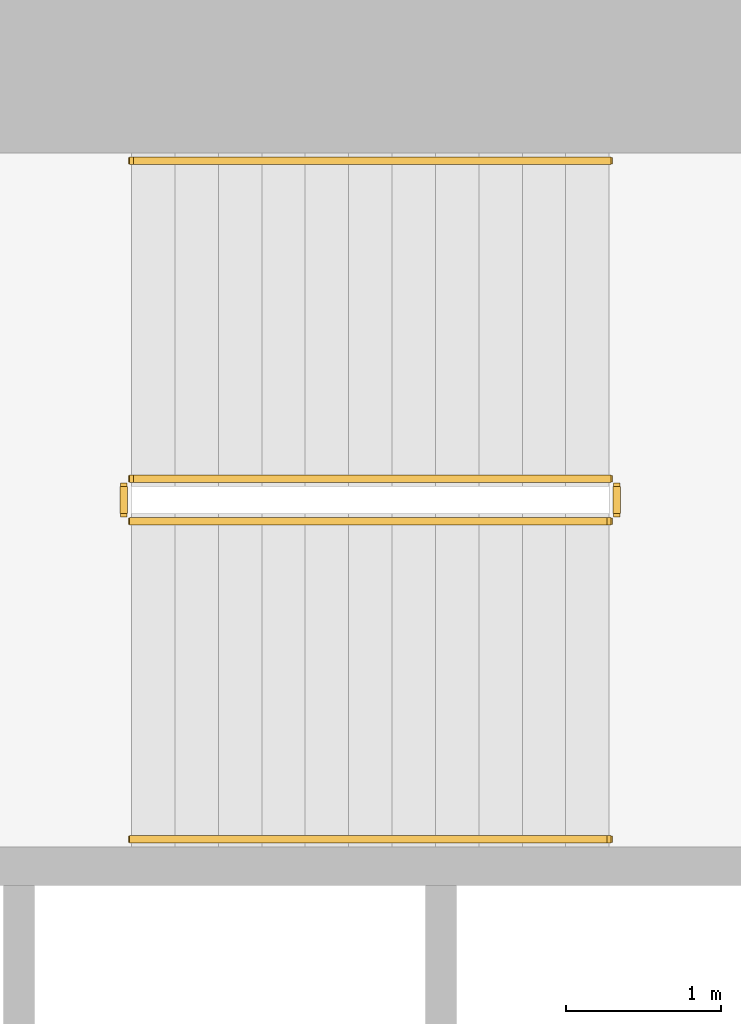
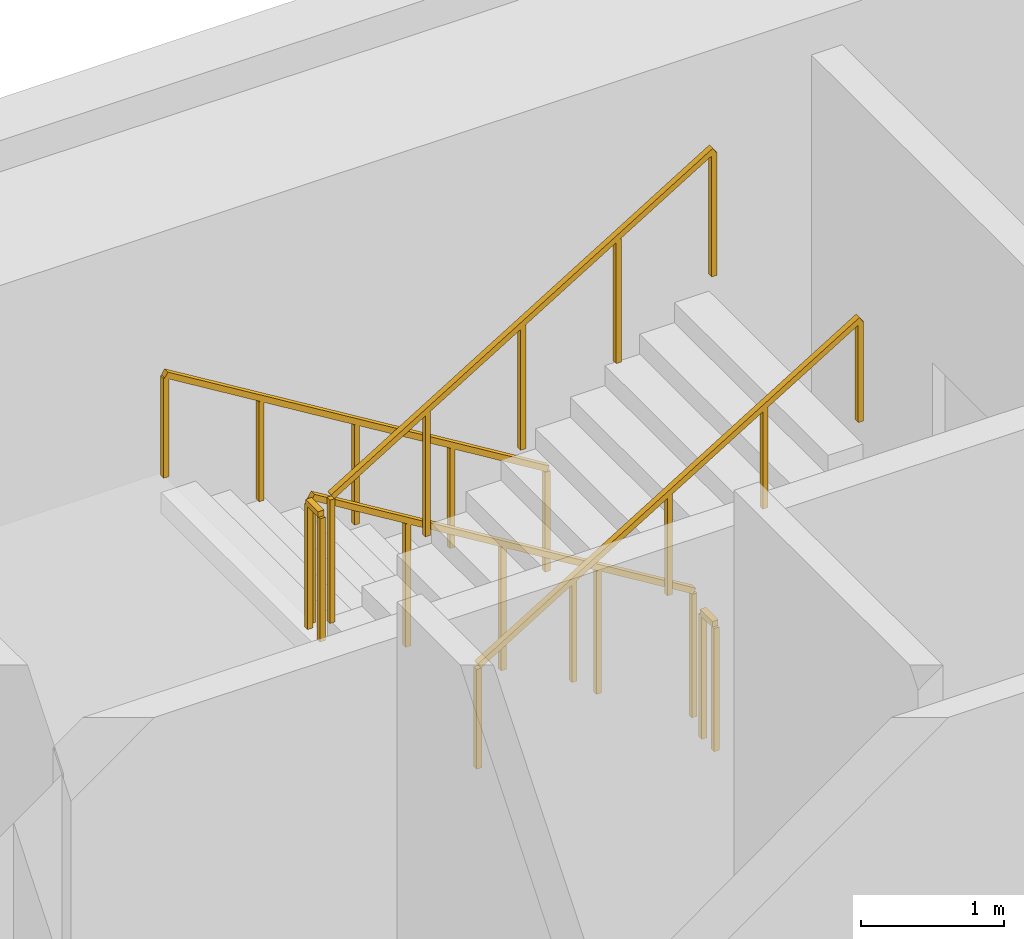
# One storey, part 14 of 16: 6 railings.
"""IFC4 building model written with IfcOpenShell, lengths in metres."""

from ifc_helpers import new_model, si_unit, direction, frame, origin, origin_2d, place, context, subcontext, project, spatial, rectangle, extrude, material, type_object, element, save


model = new_model("IFC4")

# Units and contexts
model_context = context("Model", 3, precision=1e-05, world=origin(), true_north=direction((0.0, 1.0)))
body_context = subcontext(model_context, "Body", "Model", "MODEL_VIEW")
ifc_project = project(units=[si_unit("LENGTHUNIT", "METRE"), si_unit("AREAUNIT", "SQUARE_METRE"), si_unit("VOLUMEUNIT", "CUBIC_METRE"), si_unit("PLANEANGLEUNIT", "RADIAN"), si_unit("MASSUNIT", "GRAM", prefix="KILO")], contexts=[model_context])

# Site, building, storey
site_placement = place(None, origin())
site = spatial("IfcSite", under=ifc_project, at=site_placement, CompositionType="ELEMENT")
building_placement = place(site_placement, origin())
building = spatial("IfcBuilding", under=site, at=building_placement, Name="Cypress Arch Tower", CompositionType="ELEMENT")
storey_placement = place(building_placement, frame((0.0, 0.0, 168.699951171875)))
storey = spatial("IfcBuildingStorey", under=building, at=storey_placement, Name="L36", CompositionType="ELEMENT", Elevation=168.699951171875)

# Railings
ifc_material_1 = material(Name="Black powder-coated steel square bar 48 mm", Category="steel")
railing_type_1 = type_object("IfcRailingType", Name="Stair handrail HR1", PredefinedType="HANDRAIL", material=ifc_material_1)
railing_1_placement = place(storey_placement, frame((-22.27490234375, 14.75, 0.1708984375)))
element("IfcRailing", 1, at=railing_1_placement, inside=storey, type_object=railing_type_1, Name="L36 B stair handrail 1", PredefinedType="HANDRAIL", context=body_context, shape_type="SweptSolid", body=[
    extrude(rectangle(XDim=0.048095703125, YDim=0.048095703125, at=origin_2d()), frame((0.0, 0.0, 0.8759765625), z_axis=(-0.853666305674, 0.0, 0.52082035152), x_axis=(0.0, -1.0, 0.0)), (0.0, 0.0, 1.0), 3.608154296875),
    extrude(rectangle(XDim=0.0419921875, YDim=0.0419921875, at=origin_2d()), origin(), (0.0, 0.0, 1.0), 0.851806640625),
    extrude(rectangle(XDim=0.0419921875, YDim=0.0419921875, at=origin_2d()), frame((-0.77001953125, 0.0, 0.4697265625)), (0.0, 0.0, 1.0), 0.851806640625),
    extrude(rectangle(XDim=0.0419921875, YDim=0.0419921875, at=origin_2d()), frame((-1.5400390625, 0.0, 0.939453125)), (0.0, 0.0, 1.0), 0.851806640625),
    extrude(rectangle(XDim=0.0419921875, YDim=0.0419921875, at=origin_2d()), frame((-2.31005859375, 0.0, 1.409423828125)), (0.0, 0.0, 1.0), 0.851806640625),
    extrude(rectangle(XDim=0.0419921875, YDim=0.0419921875, at=origin_2d()), frame((-3.080078125, 0.0, 1.879150390625)), (0.0, 0.0, 1.0), 0.851806640625),
])
railing_2_placement = place(storey_placement, frame((-25.35498046875, 10.375, 2.220947265625)))
element("IfcRailing", 2, at=railing_2_placement, inside=storey, type_object=railing_type_1, Name="L36 B stair handrail 2", PredefinedType="HANDRAIL", context=body_context, shape_type="SweptSolid", body=[
    extrude(rectangle(XDim=0.048095703125, YDim=0.048095703125, at=origin_2d()), frame((0.0, 0.0, 0.8759765625), z_axis=(0.853666305674, 0.0, 0.52082035152), x_axis=(0.0, 1.0, 0.0)), (0.0, 0.0, 1.0), 3.608154296875),
    extrude(rectangle(XDim=0.0419921875, YDim=0.0419921875, at=origin_2d()), origin(), (0.0, 0.0, 1.0), 0.851806640625),
    extrude(rectangle(XDim=0.0419921875, YDim=0.0419921875, at=origin_2d()), frame((0.77001953125, 0.0, 0.4697265625)), (0.0, 0.0, 1.0), 0.851806640625),
    extrude(rectangle(XDim=0.0419921875, YDim=0.0419921875, at=origin_2d()), frame((1.5400390625, 0.0, 0.939453125)), (0.0, 0.0, 1.0), 0.851806640625),
    extrude(rectangle(XDim=0.0419921875, YDim=0.0419921875, at=origin_2d()), frame((2.31005859375, 0.0, 1.409423828125)), (0.0, 0.0, 1.0), 0.851806640625),
    extrude(rectangle(XDim=0.0419921875, YDim=0.0419921875, at=origin_2d()), frame((3.080078125, 0.0, 1.879150390625)), (0.0, 0.0, 1.0), 0.851806640625),
])
ifc_material_2 = material(Name="Black powder-coated steel balusters", Category="steel")
railing_type_2 = type_object("IfcRailingType", Name="Stair well guard G1", PredefinedType="GUARDRAIL", material=ifc_material_2)
railing_3_placement = place(storey_placement, frame((-22.27490234375, 12.699951171875, 0.1708984375)))
element("IfcRailing", 3, at=railing_3_placement, inside=storey, type_object=railing_type_2, Name="L36 B stair guard 1", PredefinedType="GUARDRAIL", context=body_context, shape_type="SweptSolid", body=[
    extrude(rectangle(XDim=0.048095703125, YDim=0.048095703125, at=origin_2d()), frame((0.0, 0.0, 1.076171875), z_axis=(-0.853666305674, 0.0, 0.52082035152), x_axis=(0.0, -1.0, 0.0)), (0.0, 0.0, 1.0), 3.608154296875),
    extrude(rectangle(XDim=0.0419921875, YDim=0.0419921875, at=origin_2d()), origin(), (0.0, 0.0, 1.0), 1.052001953125),
    extrude(rectangle(XDim=0.0419921875, YDim=0.0419921875, at=origin_2d()), frame((-0.77001953125, 0.0, 0.4697265625)), (0.0, 0.0, 1.0), 1.052001953125),
    extrude(rectangle(XDim=0.0419921875, YDim=0.0419921875, at=origin_2d()), frame((-1.5400390625, 0.0, 0.939453125)), (0.0, 0.0, 1.0), 1.052001953125),
    extrude(rectangle(XDim=0.0419921875, YDim=0.0419921875, at=origin_2d()), frame((-2.31005859375, 0.0, 1.409423828125)), (0.0, 0.0, 1.0), 1.052001953125),
    extrude(rectangle(XDim=0.0419921875, YDim=0.0419921875, at=origin_2d()), frame((-3.080078125, 0.0, 1.879150390625)), (0.0, 0.0, 1.0), 1.052001953125),
])
railing_4_placement = place(storey_placement, frame((-25.405029296875, 12.64990234375, 2.050048828125)))
element("IfcRailing", 4, at=railing_4_placement, inside=storey, type_object=railing_type_2, Name="L36 B stair guard 2", PredefinedType="GUARDRAIL", context=body_context, shape_type="SweptSolid", body=[
    extrude(rectangle(XDim=0.048095703125, YDim=0.048095703125, at=origin_2d()), frame((0.0, 0.0, 1.076171875), z_axis=(0.0, -1.0, 0.0), x_axis=(1.0, 0.0, 0.0)), (0.0, 0.0, 1.0), 0.1748046875),
    extrude(rectangle(XDim=0.0419921875, YDim=0.0419921875, at=origin_2d()), origin(), (0.0, 0.0, 1.0), 1.052001953125),
    extrude(rectangle(XDim=0.0419921875, YDim=0.0419921875, at=origin_2d()), frame((0.0, -0.1748046875, 0.0)), (0.0, 0.0, 1.0), 1.052001953125),
])
railing_5_placement = place(storey_placement, frame((-25.35498046875, 12.425048828125, 2.220947265625)))
element("IfcRailing", 5, at=railing_5_placement, inside=storey, type_object=railing_type_2, Name="L36 B stair guard 3", PredefinedType="GUARDRAIL", context=body_context, shape_type="SweptSolid", body=[
    extrude(rectangle(XDim=0.048095703125, YDim=0.048095703125, at=origin_2d()), frame((0.0, 0.0, 1.076171875), z_axis=(0.853666305674, 0.0, 0.52082035152), x_axis=(0.0, 1.0, 0.0)), (0.0, 0.0, 1.0), 3.608154296875),
    extrude(rectangle(XDim=0.0419921875, YDim=0.0419921875, at=origin_2d()), origin(), (0.0, 0.0, 1.0), 1.052001953125),
    extrude(rectangle(XDim=0.0419921875, YDim=0.0419921875, at=origin_2d()), frame((0.77001953125, 0.0, 0.4697265625)), (0.0, 0.0, 1.0), 1.052001953125),
    extrude(rectangle(XDim=0.0419921875, YDim=0.0419921875, at=origin_2d()), frame((1.5400390625, 0.0, 0.939453125)), (0.0, 0.0, 1.0), 1.052001953125),
    extrude(rectangle(XDim=0.0419921875, YDim=0.0419921875, at=origin_2d()), frame((2.31005859375, 0.0, 1.409423828125)), (0.0, 0.0, 1.0), 1.052001953125),
    extrude(rectangle(XDim=0.0419921875, YDim=0.0419921875, at=origin_2d()), frame((3.080078125, 0.0, 1.879150390625)), (0.0, 0.0, 1.0), 1.052001953125),
])
railing_6_placement = place(storey_placement, frame((-22.22509765625, 12.64990234375, 0.0)))
element("IfcRailing", 6, at=railing_6_placement, inside=storey, type_object=railing_type_2, Name="L36 B stair guard 4", PredefinedType="GUARDRAIL", context=body_context, shape_type="SweptSolid", body=[
    extrude(rectangle(XDim=0.048095703125, YDim=0.048095703125, at=origin_2d()), frame((0.0, 0.0, 1.076171875), z_axis=(0.0, -1.0, 0.0), x_axis=(1.0, 0.0, 0.0)), (0.0, 0.0, 1.0), 0.1748046875),
    extrude(rectangle(XDim=0.0419921875, YDim=0.0419921875, at=origin_2d()), origin(), (0.0, 0.0, 1.0), 1.052001953125),
    extrude(rectangle(XDim=0.0419921875, YDim=0.0419921875, at=origin_2d()), frame((0.0, -0.1748046875, 0.0)), (0.0, 0.0, 1.0), 1.052001953125),
])

save(model, "model.ifc")
